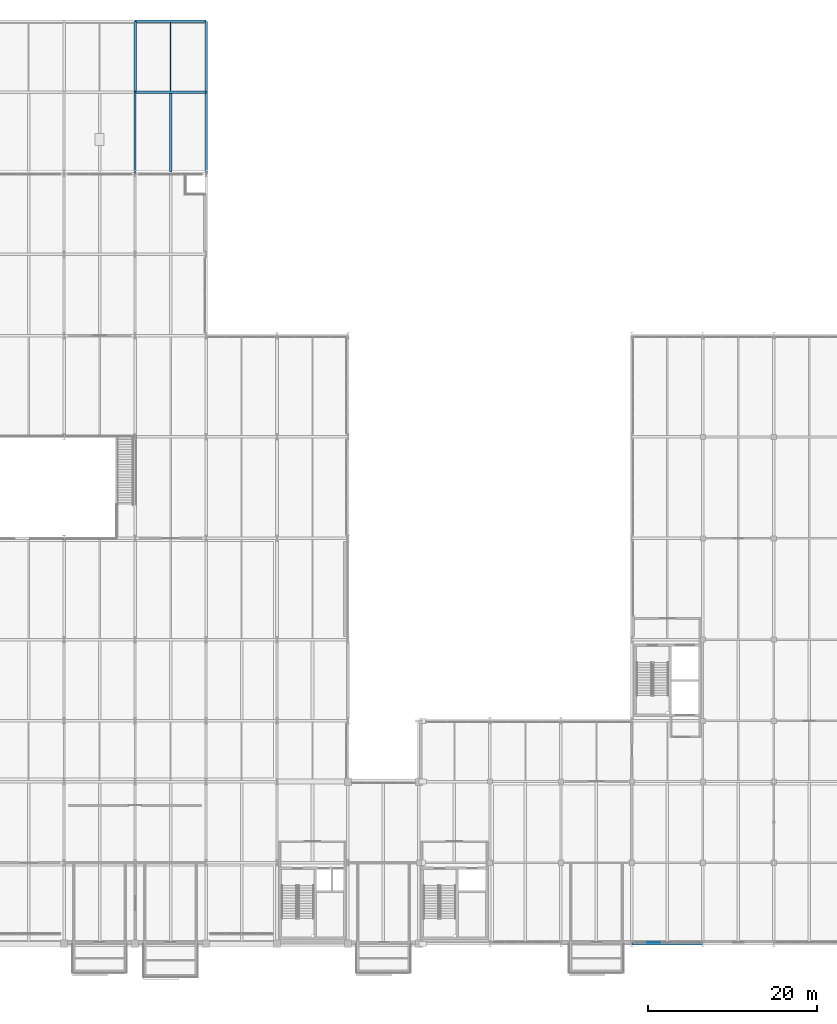
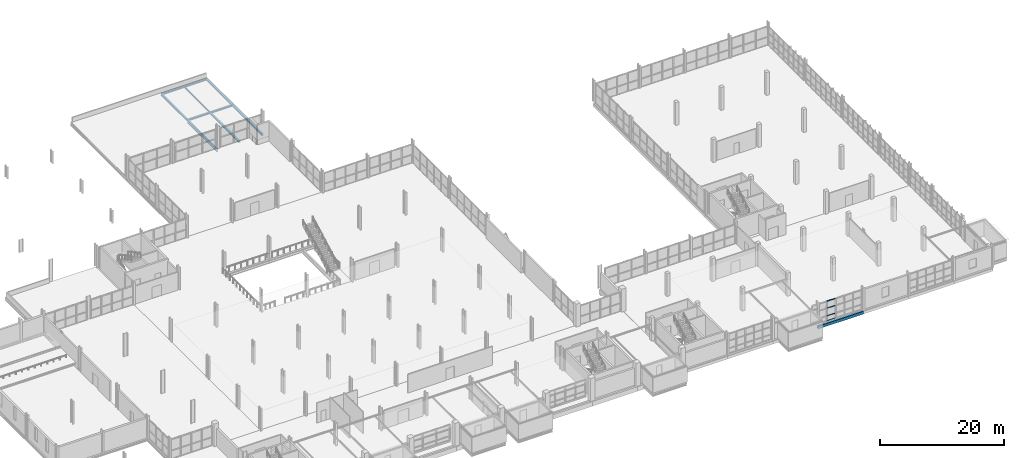
# One storey, part 63 of 113: 9 beams, 4 members, 1 element without a shape of its own.
"""IFC4 building model written with IfcOpenShell, lengths in metres."""

from ifc_helpers import new_model, si_unit, direction, frame, origin, origin_2d, place, context, subcontext, project, spatial, rectangle, hollow_rectangle, i_section, extrude, material, material_profile, profile_set, type_object, element, aggregate, save


model = new_model("IFC4")

# Units and contexts
model_context = context("Model", 3, precision=1e-05, world=origin(), true_north=direction((0.0, 1.0)))
body_context = subcontext(model_context, "Body", "Model", "MODEL_VIEW")
ifc_project = project(units=[si_unit("LENGTHUNIT", "METRE"), si_unit("AREAUNIT", "SQUARE_METRE"), si_unit("VOLUMEUNIT", "CUBIC_METRE"), si_unit("PLANEANGLEUNIT", "RADIAN"), si_unit("MASSUNIT", "GRAM", prefix="KILO")], contexts=[model_context])

# Site, building, storey
site_placement = place(None, origin())
site = spatial("IfcSite", under=ifc_project, at=site_placement, CompositionType="ELEMENT")
building_placement = place(site_placement, origin())
building = spatial("IfcBuilding", under=site, at=building_placement, Name="Veltarok Museum of Natural Sciences", CompositionType="ELEMENT")
storey_placement = place(building_placement, frame((0.0, 0.0, 8.39990234375)))
storey = spatial("IfcBuildingStorey", under=building, at=storey_placement, Name="L01", CompositionType="ELEMENT", Elevation=8.39990234375)

# Curtain wall, members
ifc_material_1 = material(Name="Low-iron triple insulated glass", Category="glass")
curtain_wall_type = type_object("IfcCurtainWallType", Name="Curtain Wall System CW-V5S-L01-16-810x388 (V5 South Lab Curtain Wall L01 16-17 810x388cm)", PredefinedType="NOTDEFINED", material=ifc_material_1)
curtain_wall_placement = place(storey_placement, origin())
curtain_wall = element("IfcCurtainWall", 1, at=curtain_wall_placement, inside=storey, type_object=curtain_wall_type, Name="Curtain Wall CW-V5S-L01-16-810x388 CW-0090", PredefinedType="NOTDEFINED")
ifc_material_2 = material(Name="Thermally broken anodised aluminium", Category="aluminium")
ifc_material_profile_1 = material_profile(ifc_material_2, hollow_rectangle(XDim=0.06005859375, YDim=0.1201171875, WallThickness=0.0048828125, at=origin_2d()), Name="CW TRANSOM 60x120x5")
ifc_profile_set_1 = profile_set([ifc_material_profile_1], Name="Thermally broken anodised aluminium")
member_type = type_object("IfcMemberType", Name="Curtain Wall Horizontal Transom 60x120x5", PredefinedType="USERDEFINED", material=ifc_profile_set_1)
member_1_placement = place(storey_placement, frame((134.199951171875, 0.159912109375, 0.030029296875), z_axis=(1.0, 0.0, 0.0), x_axis=(0.0, 1.0, 0.0)))
member_1 = element("IfcMember", 2, at=member_1_placement, type_object=member_type, Name="CW-V5S-L01-16-810x388 transom 2.1", ObjectType="TRANSOM", PredefinedType="USERDEFINED", context=body_context, shape_type="SweptSolid", body=[
    extrude(hollow_rectangle(XDim=0.06005859375, YDim=0.1201171875, WallThickness=0.0048828125, at=origin_2d()), origin(), (0.0, 0.0, 1.0), 1.56005859375),
])
member_2_placement = place(storey_placement, frame((134.199951171875, 0.159912109375, 1.0), z_axis=(1.0, 0.0, 0.0), x_axis=(0.0, 1.0, 0.0)))
member_2 = element("IfcMember", 3, at=member_2_placement, type_object=member_type, Name="CW-V5S-L01-16-810x388 transom 2.2", ObjectType="TRANSOM", PredefinedType="USERDEFINED", context=body_context, shape_type="SweptSolid", body=[
    extrude(hollow_rectangle(XDim=0.06005859375, YDim=0.1201171875, WallThickness=0.0048828125, at=origin_2d()), origin(), (0.0, 0.0, 1.0), 1.56005859375),
])
member_3_placement = place(storey_placement, frame((134.199951171875, 0.159912109375, 2.5), z_axis=(1.0, 0.0, 0.0), x_axis=(0.0, 1.0, 0.0)))
member_3 = element("IfcMember", 4, at=member_3_placement, type_object=member_type, Name="CW-V5S-L01-16-810x388 transom 2.3", ObjectType="TRANSOM", PredefinedType="USERDEFINED", context=body_context, shape_type="SweptSolid", body=[
    extrude(hollow_rectangle(XDim=0.06005859375, YDim=0.1201171875, WallThickness=0.0048828125, at=origin_2d()), origin(), (0.0, 0.0, 1.0), 1.56005859375),
])
member_4_placement = place(storey_placement, frame((134.199951171875, 0.159912109375, 3.85009765625), z_axis=(1.0, 0.0, 0.0), x_axis=(0.0, 1.0, 0.0)))
member_4 = element("IfcMember", 5, at=member_4_placement, type_object=member_type, Name="CW-V5S-L01-16-810x388 transom 2.4", ObjectType="TRANSOM", PredefinedType="USERDEFINED", context=body_context, shape_type="SweptSolid", body=[
    extrude(hollow_rectangle(XDim=0.06005859375, YDim=0.1201171875, WallThickness=0.0048828125, at=origin_2d()), origin(), (0.0, 0.0, 1.0), 1.56005859375),
])
aggregate(curtain_wall, [member_1, member_2, member_3, member_4])

# Beams
ifc_material_3 = material(Name="Precast concrete C40/50", Category="concrete")
ifc_material_profile_2 = material_profile(ifc_material_3, rectangle(XDim=0.300048828125, YDim=0.550048828125, at=origin_2d()), Name="RC 300x550")
ifc_profile_set_2 = profile_set([ifc_material_profile_2], Name="Precast concrete C40/50")
beam_type_1 = type_object("IfcBeamType", Name="East Wing Precast Spandrel RC 300x550", PredefinedType="SPANDREL", material=ifc_profile_set_2)
beam_1_placement = place(storey_placement, frame((132.39990234375, 0.0, -0.52490234375), z_axis=(1.0, 0.0, 0.0), x_axis=(0.0, 1.0, 0.0)))
element("IfcBeam", 6, at=beam_1_placement, inside=storey, type_object=beam_type_1, Name="Beam BM-SP02 L01 16-17/A", PredefinedType="SPANDREL", context=body_context, shape_type="SweptSolid", body=[
    extrude(rectangle(XDim=0.300048828125, YDim=0.550048828125, at=origin_2d()), origin(), (0.0, 0.0, 1.0), 8.400146484375),
])
ifc_material_4 = material(Name="Steel S355J2", Category="steel")
ifc_material_profile_3 = material_profile(ifc_material_4, i_section(OverallWidth=0.300048828125, OverallDepth=0.330078125, WebThickness=0.009521484375, FlangeThickness=0.0166015625, FilletRadius=0.027099609375, at=origin_2d()), Name="HEA 340")
ifc_profile_set_3 = profile_set([ifc_material_profile_3], Name="Steel S355J2")
beam_type_2 = type_object("IfcBeamType", Name="Exhibition Floor Joist HEA 340", PredefinedType="JOIST", material=ifc_profile_set_3)
beam_2_placement = place(storey_placement, frame((77.800048828125, 91.347900390625, -0.414794921875), z_axis=(0.0, 1.0, 0.0), x_axis=(-1.0, 0.0, 0.0)))
element("IfcBeam", 7, at=beam_2_placement, inside=storey, type_object=beam_type_2, Name="Secondary Joist BM-J08 L01 9-10/K-L.1", PredefinedType="JOIST", context=body_context, shape_type="SweptSolid", body=[
    extrude(i_section(OverallWidth=0.300048828125, OverallDepth=0.330078125, WebThickness=0.009521484375, FlangeThickness=0.0166015625, FilletRadius=0.027099609375, at=origin_2d()), origin(), (0.0, 0.0, 1.0), 9.30419921875),
])
ifc_material_profile_4 = material_profile(ifc_material_4, i_section(OverallWidth=0.300048828125, OverallDepth=0.320068359375, WebThickness=0.011474609375, FlangeThickness=0.0205078125, FilletRadius=0.027099609375, at=origin_2d()), Name="HEB 320")
ifc_profile_set_4 = profile_set([ifc_material_profile_4], Name="Steel S355J2")
beam_type_3 = type_object("IfcBeamType", Name="Perimeter Sawtooth Spandrel HEB 320", PredefinedType="SPANDREL", material=ifc_profile_set_4)
for number, where, z_axis, x_axis, name in (
    (8, (73.60009765625, 100.800048828125, -0.409912109375), (1.0, 0.0, 0.0), (0.0, 1.0, 0.0), "Beam BM-SP06 L01 9-10/L"),
    (9, (73.60009765625, 109.199951171875, -0.409912109375), (1.0, 0.0, 0.0), (0.0, 1.0, 0.0), "Beam BM-SP06 L01 9-10/M"),
    (10, (73.60009765625, 100.800048828125, -0.409912109375), (0.0, 1.0, 0.0), (-1.0, 0.0, 0.0), "Beam BM-SP06 L01 9/L-M"),
):
    element("IfcBeam", number, at=place(storey_placement, frame(where, z_axis=z_axis, x_axis=x_axis)), inside=storey, type_object=beam_type_3, Name=name, PredefinedType="SPANDREL", context=body_context, shape_type="SweptSolid", body=[
        extrude(i_section(OverallWidth=0.300048828125, OverallDepth=0.320068359375, WebThickness=0.011474609375, FlangeThickness=0.0205078125, FilletRadius=0.027099609375, at=origin_2d()), origin(), (0.0, 0.0, 1.0), 8.39990234375),
    ])
beam_3_placement = place(storey_placement, frame((82.0, 91.199951171875, -0.409912109375), z_axis=(0.0, 1.0, 0.0), x_axis=(-1.0, 0.0, 0.0)))
element("IfcBeam", 11, at=beam_3_placement, inside=storey, type_object=beam_type_3, Name="Beam BM-SP06 L01 10/K-L", PredefinedType="SPANDREL", context=body_context, shape_type="SweptSolid", body=[
    extrude(i_section(OverallWidth=0.300048828125, OverallDepth=0.320068359375, WebThickness=0.011474609375, FlangeThickness=0.0205078125, FilletRadius=0.027099609375, at=origin_2d()), origin(), (0.0, 0.0, 1.0), 9.60009765625),
])
beam_4_placement = place(storey_placement, frame((82.0, 100.800048828125, -0.409912109375), z_axis=(0.0, 1.0, 0.0), x_axis=(-1.0, 0.0, 0.0)))
element("IfcBeam", 12, at=beam_4_placement, inside=storey, type_object=beam_type_3, Name="Beam BM-SP06 L01 10/L-M", PredefinedType="SPANDREL", context=body_context, shape_type="SweptSolid", body=[
    extrude(i_section(OverallWidth=0.300048828125, OverallDepth=0.320068359375, WebThickness=0.011474609375, FlangeThickness=0.0205078125, FilletRadius=0.027099609375, at=origin_2d()), origin(), (0.0, 0.0, 1.0), 8.39990234375),
])
ifc_material_profile_5 = material_profile(ifc_material_4, i_section(OverallWidth=0.219970703125, OverallDepth=0.60009765625, WebThickness=0.011962890625, FlangeThickness=0.01904296875, FilletRadius=0.02392578125, at=origin_2d()), Name="IPE 600")
ifc_profile_set_5 = profile_set([ifc_material_profile_5], Name="Steel S355J2")
beam_type_4 = type_object("IfcBeamType", Name="Primary Museum Girder IPE 600", PredefinedType="BEAM", material=ifc_profile_set_5)
beam_5_placement = place(storey_placement, frame((73.60009765625, 91.199951171875, -0.5498046875), z_axis=(0.0, 1.0, 0.0), x_axis=(-1.0, 0.0, 0.0)))
element("IfcBeam", 13, at=beam_5_placement, inside=storey, type_object=beam_type_4, Name="Beam BM-G02 L01 9/K-L", PredefinedType="BEAM", context=body_context, shape_type="SweptSolid", body=[
    extrude(i_section(OverallWidth=0.219970703125, OverallDepth=0.60009765625, WebThickness=0.011962890625, FlangeThickness=0.01904296875, FilletRadius=0.02392578125, at=origin_2d()), origin(), (0.0, 0.0, 1.0), 9.60009765625),
])
ifc_material_profile_6 = material_profile(ifc_material_4, i_section(OverallWidth=0.135009765625, OverallDepth=0.27001953125, WebThickness=0.006591796875, FlangeThickness=0.01025390625, FilletRadius=0.014892578125, at=origin_2d()), Name="IPE 270")
ifc_profile_set_6 = profile_set([ifc_material_profile_6], Name="Steel S355J2")
beam_type_5 = type_object("IfcBeamType", Name="Short-Bay Composite Joist IPE 270", PredefinedType="JOIST", material=ifc_profile_set_6)
beam_6_placement = place(storey_placement, frame((77.800048828125, 100.947998046875, -0.385009765625), z_axis=(0.0, 1.0, 0.0), x_axis=(-1.0, 0.0, 0.0)))
element("IfcBeam", 14, at=beam_6_placement, inside=storey, type_object=beam_type_5, Name="Secondary Joist BM-J04 L01 9-10/L-M.1", PredefinedType="JOIST", context=body_context, shape_type="SweptSolid", body=[
    extrude(i_section(OverallWidth=0.135009765625, OverallDepth=0.27001953125, WebThickness=0.006591796875, FlangeThickness=0.01025390625, FilletRadius=0.014892578125, at=origin_2d()), origin(), (0.0, 0.0, 1.0), 8.10400390625),
])

save(model, "model.ifc")
